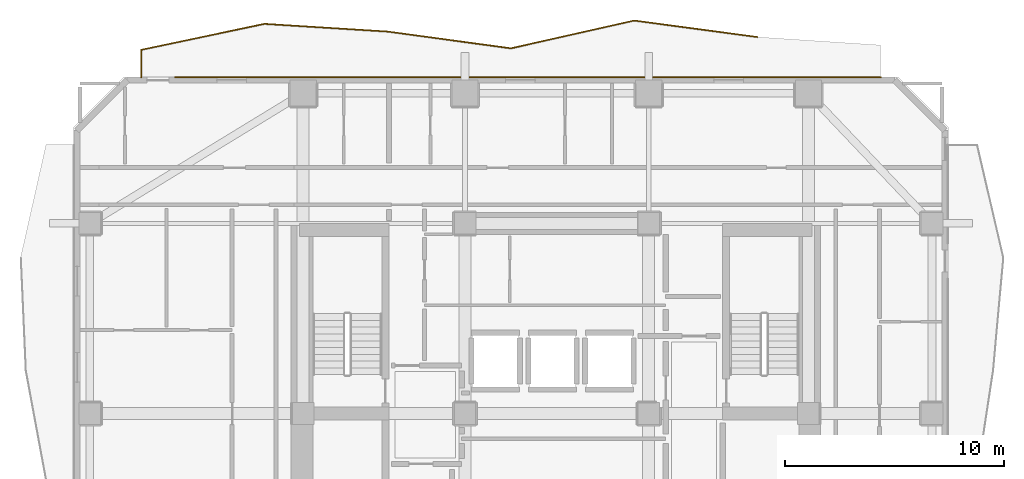
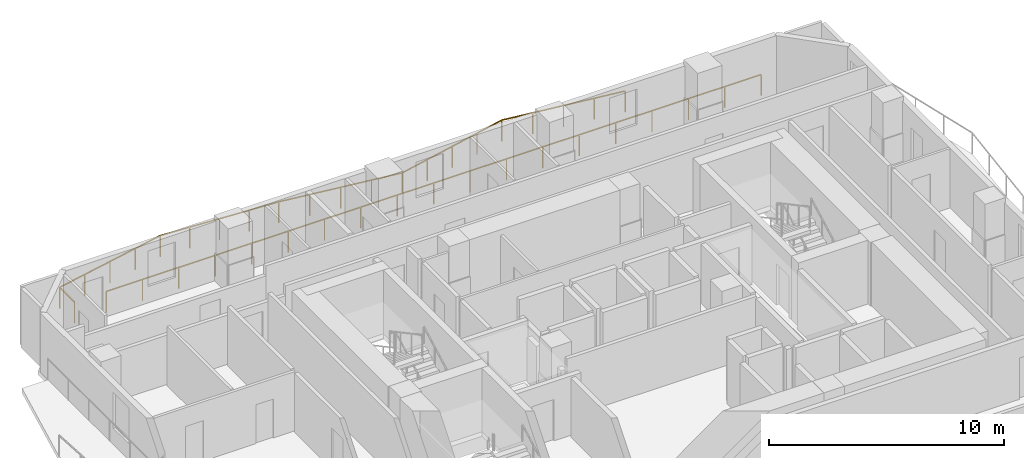
# One storey, part 11 of 11: 2 railings.
"""IFC4 building model written with IfcOpenShell, lengths in metres."""

from ifc_helpers import new_model, si_unit, direction, frame, origin, origin_2d, place, context, subcontext, project, spatial, rectangle, extrude, material, type_object, element, save


model = new_model("IFC4")

# Units and contexts
model_context = context("Model", 3, precision=1e-05, world=origin(), true_north=direction((0.0, 1.0)))
body_context = subcontext(model_context, "Body", "Model", "MODEL_VIEW")
ifc_project = project(units=[si_unit("LENGTHUNIT", "METRE"), si_unit("AREAUNIT", "SQUARE_METRE"), si_unit("VOLUMEUNIT", "CUBIC_METRE"), si_unit("PLANEANGLEUNIT", "RADIAN"), si_unit("MASSUNIT", "GRAM", prefix="KILO")], contexts=[model_context])

# Site, building, storey
site_placement = place(None, origin())
site = spatial("IfcSite", under=ifc_project, at=site_placement, CompositionType="ELEMENT")
building_placement = place(site_placement, origin())
building = spatial("IfcBuilding", under=site, at=building_placement, Name="Solanera Arch Residences", CompositionType="ELEMENT")
storey_placement = place(building_placement, frame((0.0, 0.0, 112.719970703125)))
storey = spatial("IfcBuildingStorey", under=building, at=storey_placement, Name="L32", CompositionType="ELEMENT", Elevation=112.719970703125)

# Railings
ifc_material = material(Name="Steel S355 (ASTM A992 / A572 Grade 50)", Category="steel")
railing_type = type_object("IfcRailingType", Name="Balustrade Railing BL-1100", PredefinedType="BALUSTRADE", material=ifc_material)
railing_1_placement = place(storey_placement, frame((34.1669921875, 47.919921875, 0.0)))
element("IfcRailing", 1, at=railing_1_placement, inside=storey, type_object=railing_type, Name="L32 N Balcony Balustrade 1", PredefinedType="BALUSTRADE", context=body_context, shape_type="SweptSolid", body=[
    extrude(rectangle(XDim=0.048095703125, YDim=0.048095703125, at=origin_2d()), frame((0.0, 0.0, 1.09619140625), z_axis=(-0.991182452859, 0.132504132559, 0.0), x_axis=(-0.132504132559, -0.991182452859, 0.0)), (0.0, 0.0, 1.0), 5.68408203125),
    extrude(rectangle(XDim=0.048095703125, YDim=0.048095703125, at=origin_2d()), frame((-5.634033203125, 0.753173828125, 1.09619140625), z_axis=(-0.975513912008, -0.21993773546, 0.0), x_axis=(0.21993773546, -0.975513912008, 0.0)), (0.0, 0.0, 1.0), 5.7744140625),
    extrude(rectangle(XDim=0.048095703125, YDim=0.048095703125, at=origin_2d()), frame((-11.26708984375, -0.516845703125, 1.09619140625), z_axis=(-0.990882883766, 0.134726057835, 0.0), x_axis=(-0.134726057835, -0.990882883766, 0.0)), (0.0, 0.0, 1.0), 5.6845703125),
    extrude(rectangle(XDim=0.048095703125, YDim=0.048095703125, at=origin_2d()), frame((-16.89990234375, 0.2490234375, 1.09619140625), z_axis=(-0.998042637226, 0.062537143191, 0.0), x_axis=(-0.062537143191, -0.998042637226, 0.0)), (0.0, 0.0, 1.0), 5.64501953125),
    extrude(rectangle(XDim=0.048095703125, YDim=0.048095703125, at=origin_2d()), frame((-22.533935546875, 0.60205078125, 1.09619140625), z_axis=(-0.978476831687, -0.20635670537, 0.0), x_axis=(0.20635670537, -0.978476831687, 0.0)), (0.0, 0.0, 1.0), 5.757080078125),
    extrude(rectangle(XDim=0.048095703125, YDim=0.048095703125, at=origin_2d()), frame((-28.1669921875, -0.5859375, 1.09619140625), z_axis=(0.0, -1.0, 0.0), x_axis=(1.0, 0.0, 0.0)), (0.0, 0.0, 1.0), 1.25390625),
    extrude(rectangle(XDim=0.0419921875, YDim=0.0419921875, at=origin_2d()), origin(), (0.0, 0.0, 1.0), 1.072021484375),
    extrude(rectangle(XDim=0.0419921875, YDim=0.0419921875, at=origin_2d()), frame((-1.408447265625, 0.188232421875, 0.0)), (0.0, 0.0, 1.0), 1.072021484375),
    extrude(rectangle(XDim=0.0419921875, YDim=0.0419921875, at=origin_2d()), frame((-2.81689453125, 0.37646484375, 0.0)), (0.0, 0.0, 1.0), 1.072021484375),
    extrude(rectangle(XDim=0.0419921875, YDim=0.0419921875, at=origin_2d()), frame((-4.2255859375, 0.56494140625, 0.0)), (0.0, 0.0, 1.0), 1.072021484375),
    extrude(rectangle(XDim=0.0419921875, YDim=0.0419921875, at=origin_2d()), frame((-5.634033203125, 0.753173828125, 0.0)), (0.0, 0.0, 1.0), 1.072021484375),
    extrude(rectangle(XDim=0.0419921875, YDim=0.0419921875, at=origin_2d()), frame((-7.042236328125, 0.435546875, 0.0)), (0.0, 0.0, 1.0), 1.072021484375),
    extrude(rectangle(XDim=0.0419921875, YDim=0.0419921875, at=origin_2d()), frame((-8.45068359375, 0.1181640625, 0.0)), (0.0, 0.0, 1.0), 1.072021484375),
    extrude(rectangle(XDim=0.0419921875, YDim=0.0419921875, at=origin_2d()), frame((-9.85888671875, -0.19921875, 0.0)), (0.0, 0.0, 1.0), 1.072021484375),
    extrude(rectangle(XDim=0.0419921875, YDim=0.0419921875, at=origin_2d()), frame((-11.26708984375, -0.516845703125, 0.0)), (0.0, 0.0, 1.0), 1.072021484375),
    extrude(rectangle(XDim=0.0419921875, YDim=0.0419921875, at=origin_2d()), frame((-12.67529296875, -0.325439453125, 0.0)), (0.0, 0.0, 1.0), 1.072021484375),
    extrude(rectangle(XDim=0.0419921875, YDim=0.0419921875, at=origin_2d()), frame((-14.08349609375, -0.1337890625, 0.0)), (0.0, 0.0, 1.0), 1.072021484375),
    extrude(rectangle(XDim=0.0419921875, YDim=0.0419921875, at=origin_2d()), frame((-15.49169921875, 0.0576171875, 0.0)), (0.0, 0.0, 1.0), 1.072021484375),
    extrude(rectangle(XDim=0.0419921875, YDim=0.0419921875, at=origin_2d()), frame((-16.89990234375, 0.2490234375, 0.0)), (0.0, 0.0, 1.0), 1.072021484375),
    extrude(rectangle(XDim=0.0419921875, YDim=0.0419921875, at=origin_2d()), frame((-18.308349609375, 0.33740234375, 0.0)), (0.0, 0.0, 1.0), 1.072021484375),
    extrude(rectangle(XDim=0.0419921875, YDim=0.0419921875, at=origin_2d()), frame((-19.716796875, 0.425537109375, 0.0)), (0.0, 0.0, 1.0), 1.072021484375),
    extrude(rectangle(XDim=0.0419921875, YDim=0.0419921875, at=origin_2d()), frame((-21.12548828125, 0.513671875, 0.0)), (0.0, 0.0, 1.0), 1.072021484375),
    extrude(rectangle(XDim=0.0419921875, YDim=0.0419921875, at=origin_2d()), frame((-22.533935546875, 0.60205078125, 0.0)), (0.0, 0.0, 1.0), 1.072021484375),
    extrude(rectangle(XDim=0.0419921875, YDim=0.0419921875, at=origin_2d()), frame((-23.942138671875, 0.30517578125, 0.0)), (0.0, 0.0, 1.0), 1.072021484375),
    extrude(rectangle(XDim=0.0419921875, YDim=0.0419921875, at=origin_2d()), frame((-25.3505859375, 0.008056640625, 0.0)), (0.0, 0.0, 1.0), 1.072021484375),
    extrude(rectangle(XDim=0.0419921875, YDim=0.0419921875, at=origin_2d()), frame((-26.7587890625, -0.2890625, 0.0)), (0.0, 0.0, 1.0), 1.072021484375),
    extrude(rectangle(XDim=0.0419921875, YDim=0.0419921875, at=origin_2d()), frame((-28.1669921875, -0.5859375, 0.0)), (0.0, 0.0, 1.0), 1.072021484375),
    extrude(rectangle(XDim=0.0419921875, YDim=0.0419921875, at=origin_2d()), frame((-28.1669921875, -1.83984375, 0.0)), (0.0, 0.0, 1.0), 1.072021484375),
])
railing_2_placement = place(storey_placement, frame((7.55908203125, 46.080078125, 0.0)))
element("IfcRailing", 2, at=railing_2_placement, inside=storey, type_object=railing_type, Name="L32 N Balcony Balustrade 2", PredefinedType="BALUSTRADE", context=body_context, shape_type="SweptSolid", body=[
    extrude(rectangle(XDim=0.048095703125, YDim=0.048095703125, at=origin_2d()), frame((0.0, 0.0, 1.09619140625), z_axis=(1.0, 0.0, 0.0), x_axis=(0.0, 1.0, 0.0)), (0.0, 0.0, 1.0), 32.240966796875),
    extrude(rectangle(XDim=0.0419921875, YDim=0.0419921875, at=origin_2d()), origin(), (0.0, 0.0, 1.0), 1.072021484375),
    extrude(rectangle(XDim=0.0419921875, YDim=0.0419921875, at=origin_2d()), frame((1.791259765625, 0.0, 0.0)), (0.0, 0.0, 1.0), 1.072021484375),
    extrude(rectangle(XDim=0.0419921875, YDim=0.0419921875, at=origin_2d()), frame((3.582275390625, 0.0, 0.0)), (0.0, 0.0, 1.0), 1.072021484375),
    extrude(rectangle(XDim=0.0419921875, YDim=0.0419921875, at=origin_2d()), frame((5.37353515625, 0.0, 0.0)), (0.0, 0.0, 1.0), 1.072021484375),
    extrude(rectangle(XDim=0.0419921875, YDim=0.0419921875, at=origin_2d()), frame((7.16455078125, 0.0, 0.0)), (0.0, 0.0, 1.0), 1.072021484375),
    extrude(rectangle(XDim=0.0419921875, YDim=0.0419921875, at=origin_2d()), frame((8.955810546875, 0.0, 0.0)), (0.0, 0.0, 1.0), 1.072021484375),
    extrude(rectangle(XDim=0.0419921875, YDim=0.0419921875, at=origin_2d()), frame((10.7470703125, 0.0, 0.0)), (0.0, 0.0, 1.0), 1.072021484375),
    extrude(rectangle(XDim=0.0419921875, YDim=0.0419921875, at=origin_2d()), frame((12.5380859375, 0.0, 0.0)), (0.0, 0.0, 1.0), 1.072021484375),
    extrude(rectangle(XDim=0.0419921875, YDim=0.0419921875, at=origin_2d()), frame((14.329345703125, 0.0, 0.0)), (0.0, 0.0, 1.0), 1.072021484375),
    extrude(rectangle(XDim=0.0419921875, YDim=0.0419921875, at=origin_2d()), frame((16.12060546875, 0.0, 0.0)), (0.0, 0.0, 1.0), 1.072021484375),
    extrude(rectangle(XDim=0.0419921875, YDim=0.0419921875, at=origin_2d()), frame((17.91162109375, 0.0, 0.0)), (0.0, 0.0, 1.0), 1.072021484375),
    extrude(rectangle(XDim=0.0419921875, YDim=0.0419921875, at=origin_2d()), frame((19.702880859375, 0.0, 0.0)), (0.0, 0.0, 1.0), 1.072021484375),
    extrude(rectangle(XDim=0.0419921875, YDim=0.0419921875, at=origin_2d()), frame((21.493896484375, 0.0, 0.0)), (0.0, 0.0, 1.0), 1.072021484375),
    extrude(rectangle(XDim=0.0419921875, YDim=0.0419921875, at=origin_2d()), frame((23.28515625, 0.0, 0.0)), (0.0, 0.0, 1.0), 1.072021484375),
    extrude(rectangle(XDim=0.0419921875, YDim=0.0419921875, at=origin_2d()), frame((25.076416015625, 0.0, 0.0)), (0.0, 0.0, 1.0), 1.072021484375),
    extrude(rectangle(XDim=0.0419921875, YDim=0.0419921875, at=origin_2d()), frame((26.867431640625, 0.0, 0.0)), (0.0, 0.0, 1.0), 1.072021484375),
    extrude(rectangle(XDim=0.0419921875, YDim=0.0419921875, at=origin_2d()), frame((28.65869140625, 0.0, 0.0)), (0.0, 0.0, 1.0), 1.072021484375),
    extrude(rectangle(XDim=0.0419921875, YDim=0.0419921875, at=origin_2d()), frame((30.44970703125, 0.0, 0.0)), (0.0, 0.0, 1.0), 1.072021484375),
    extrude(rectangle(XDim=0.0419921875, YDim=0.0419921875, at=origin_2d()), frame((32.240966796875, 0.0, 0.0)), (0.0, 0.0, 1.0), 1.072021484375),
])

save(model, "model.ifc")
